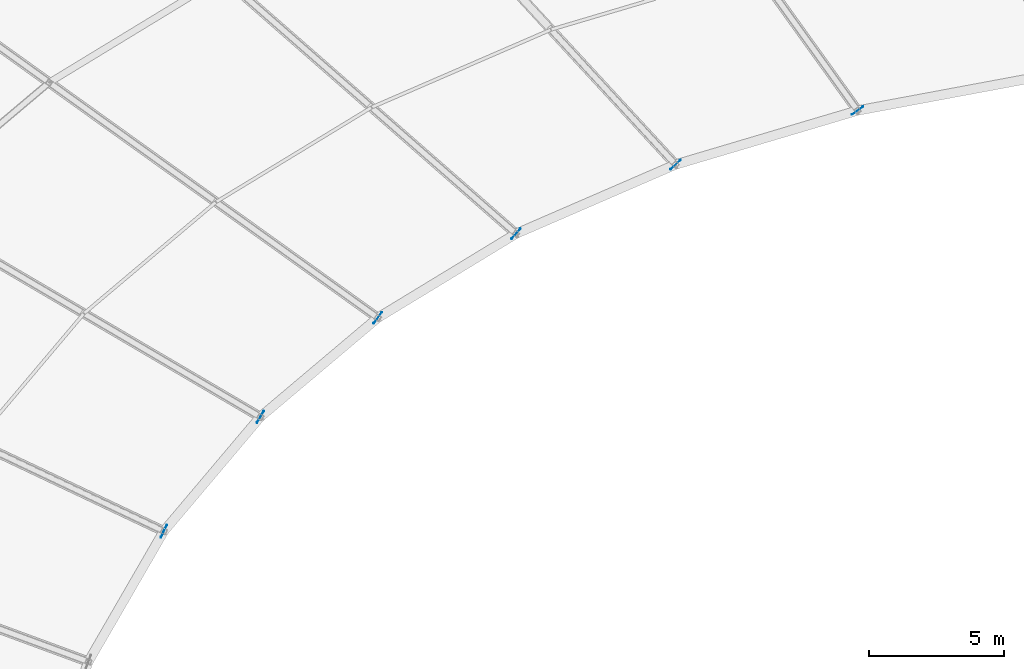
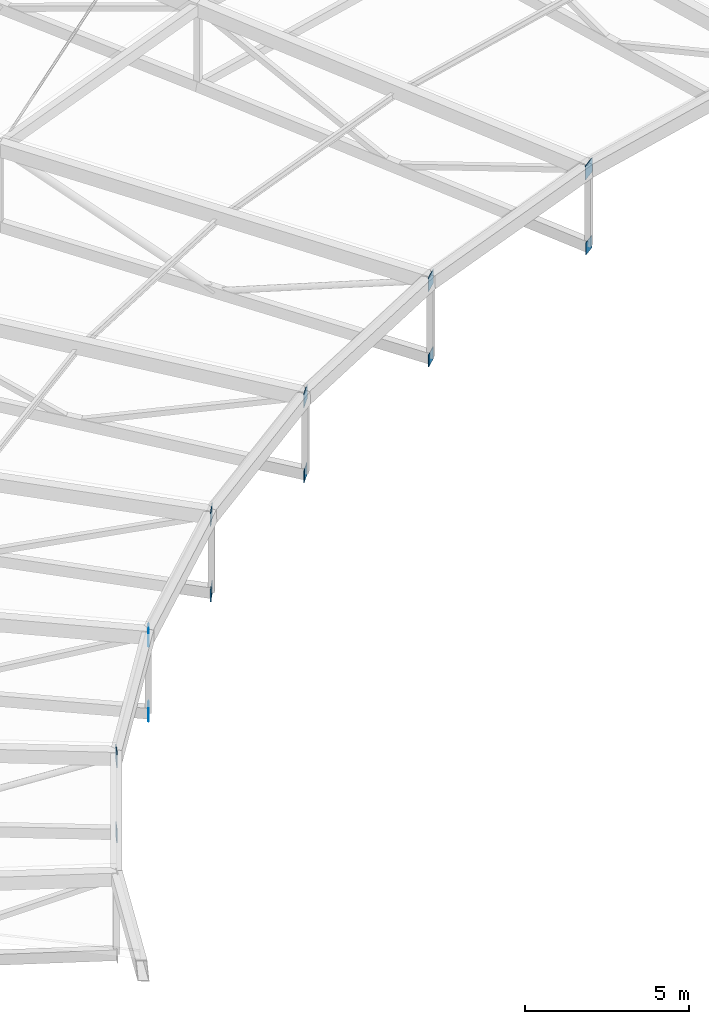
# One storey, part 118 of 143: 12 plates.
"""IFC4 building model written with IfcOpenShell, lengths in metres."""

from ifc_helpers import new_model, si_unit, direction, frame, origin, origin_2d, place, context, subcontext, project, spatial, rectangle, extrude, material, layer, layer_set, type_object, element, save


model = new_model("IFC4")

# Units and contexts
model_context = context("Model", 3, precision=1e-05, world=origin(), true_north=direction((0.0, 1.0)))
body_context = subcontext(model_context, "Body", "Model", "MODEL_VIEW")
ifc_project = project(units=[si_unit("LENGTHUNIT", "METRE"), si_unit("AREAUNIT", "SQUARE_METRE"), si_unit("VOLUMEUNIT", "CUBIC_METRE"), si_unit("PLANEANGLEUNIT", "RADIAN"), si_unit("MASSUNIT", "GRAM", prefix="KILO")], contexts=[model_context])

# Site, building, storey
site_placement = place(None, origin())
site = spatial("IfcSite", under=ifc_project, at=site_placement, CompositionType="ELEMENT")
building_placement = place(site_placement, origin())
building = spatial("IfcBuilding", under=site, at=building_placement, Name="Mphavela Belvedere Stadium", CompositionType="ELEMENT")
storey_placement = place(building_placement, frame((0.0, 0.0, 28.800048828125)))
storey = spatial("IfcBuildingStorey", under=building, at=storey_placement, Name="RF", CompositionType="ELEMENT", Elevation=28.800048828125)

# Plates
ifc_material_1 = material(Name="Steel S355", Category="steel")
ifc_layer_1 = layer(ifc_material_1, 0.01806640625)
ifc_layer_set_1 = layer_set([ifc_layer_1], Name="Steel S355")
plate_type_1 = type_object("IfcPlateType", Name="PLT-CAP-TRUSS-BC", PredefinedType="USERDEFINED", material=ifc_layer_set_1)
for number, where, z_axis, x_axis, name in (
    (1, (84.931396484375, 128.89990234375, 3.366455078125), (0.0, 0.0, 1.0), (-0.582974127943, 0.812490717577, 0.0), "Roof truss RT-16 hollow-end cap plate in_bc"),
    (2, (78.20751953125, 126.904296875, 2.76611328125), (0.0, 0.0, 1.0), (-0.677903094969, 0.735151272753, 0.0), "Roof truss RT-17 hollow-end cap plate in_bc"),
    (3, (72.3154296875, 124.35009765625, 2.067138671875), (0.0, 0.0, 1.0), (-0.752529860433, 0.658558128912, 0.0), "Roof truss RT-18 hollow-end cap plate in_bc"),
    (4, (67.2080078125, 121.24267578125, 1.317138671875), (0.0, 0.0, 1.0), (-0.812897512265, 0.582406760395, 0.0), "Roof truss RT-19 hollow-end cap plate in_bc"),
    (5, (62.87109375, 117.583251953125, 0.56689453125), (0.0, 0.0, 1.0), (-0.862513669207, 0.506033764121, 0.0), "Roof truss RT-20 hollow-end cap plate in_bc"),
    (6, (59.306396484375, 113.361572265625, -0.1318359375), (0.0, 0.0, 1.0), (-0.903858661687, 0.4278311813, 0.0), "Roof truss RT-21 hollow-end cap plate in_bc"),
):
    element("IfcPlate", number, at=place(storey_placement, frame(where, z_axis=z_axis, x_axis=x_axis)), inside=storey, type_object=plate_type_1, Name=name, ObjectType="GUSSET_PLATE", PredefinedType="USERDEFINED", context=body_context, shape_type="SweptSolid", body=[
        extrude(rectangle(XDim=0.01806640625, YDim=0.4599609375, at=origin_2d()), origin(), (0.0, 0.0, 1.0), 0.4599609375),
    ])
ifc_material_2 = material(Name="Steel S355", Category="steel")
ifc_layer_2 = layer(ifc_material_2, 0.02001953125)
ifc_layer_set_2 = layer_set([ifc_layer_2], Name="Steel S355")
plate_type_2 = type_object("IfcPlateType", Name="PLT-CAP-TRUSS-TC", PredefinedType="USERDEFINED", material=ifc_layer_set_2)
for number, where, z_axis, x_axis, name in (
    (7, (84.931396484375, 128.89990234375, 6.186279296875), (0.0, 0.0, 1.0), (-0.582974127943, 0.812490717577, 0.0), "Roof truss RT-16 hollow-end cap plate in_tc"),
    (8, (78.20751953125, 126.904296875, 5.586181640625), (0.0, 0.0, 1.0), (-0.677903094969, 0.735151272753, 0.0), "Roof truss RT-17 hollow-end cap plate in_tc"),
    (9, (72.3154296875, 124.35009765625, 4.88720703125), (0.0, 0.0, 1.0), (-0.752529860433, 0.658558128912, 0.0), "Roof truss RT-18 hollow-end cap plate in_tc"),
    (10, (67.2080078125, 121.24267578125, 4.136962890625), (0.0, 0.0, 1.0), (-0.812897512265, 0.582406760395, 0.0), "Roof truss RT-19 hollow-end cap plate in_tc"),
    (11, (62.87109375, 117.583251953125, 3.386962890625), (0.0, 0.0, 1.0), (-0.862513669207, 0.506033764121, 0.0), "Roof truss RT-20 hollow-end cap plate in_tc"),
    (12, (59.306396484375, 113.361572265625, 2.68798828125), (0.0, 0.0, 1.0), (-0.903858661687, 0.4278311813, 0.0), "Roof truss RT-21 hollow-end cap plate in_tc"),
):
    element("IfcPlate", number, at=place(storey_placement, frame(where, z_axis=z_axis, x_axis=x_axis)), inside=storey, type_object=plate_type_2, Name=name, ObjectType="GUSSET_PLATE", PredefinedType="USERDEFINED", context=body_context, shape_type="SweptSolid", body=[
        extrude(rectangle(XDim=0.02001953125, YDim=0.52001953125, at=origin_2d()), origin(), (0.0, 0.0, 1.0), 0.52001953125),
    ])

save(model, "model.ifc")
